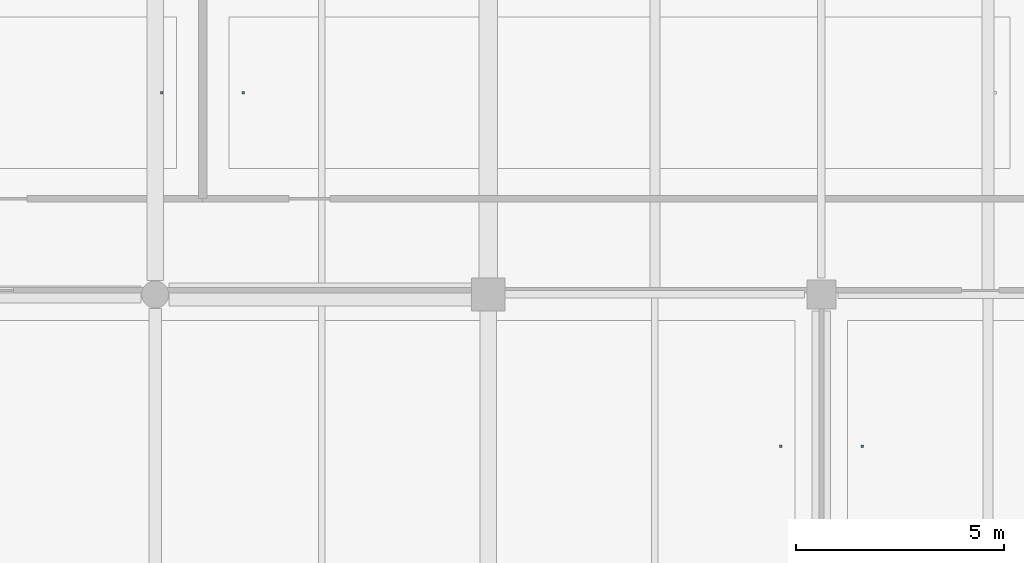
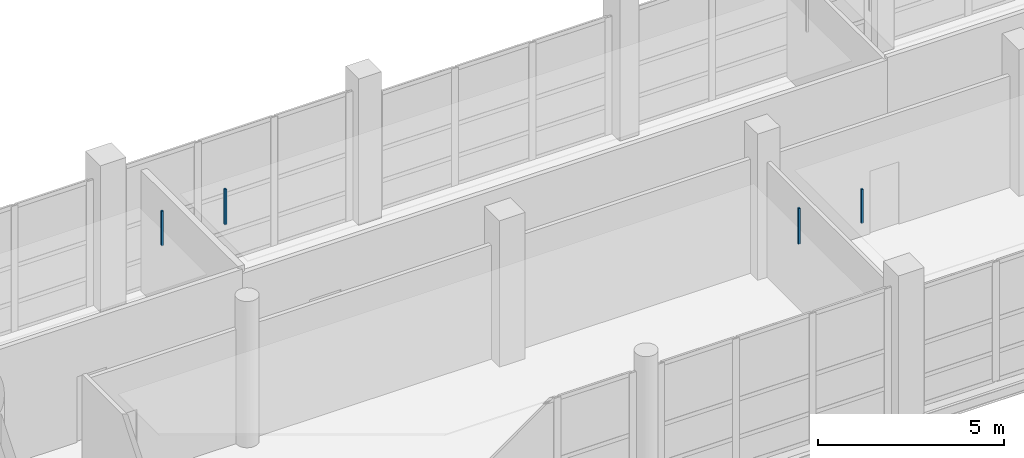
# One storey, part 104 of 141: 4 discrete accessories.
"""IFC4 building model written with IfcOpenShell, lengths in metres."""

from ifc_helpers import new_model, si_unit, direction, frame, origin, origin_2d, place, context, subcontext, project, spatial, rectangle, extrude, material, type_object, element, save


model = new_model("IFC4")

# Units and contexts
model_context = context("Model", 3, precision=1e-05, world=origin(), true_north=direction((0.0, 1.0)))
body_context = subcontext(model_context, "Body", "Model", "MODEL_VIEW")
ifc_project = project(units=[si_unit("LENGTHUNIT", "METRE"), si_unit("AREAUNIT", "SQUARE_METRE"), si_unit("VOLUMEUNIT", "CUBIC_METRE"), si_unit("PLANEANGLEUNIT", "RADIAN"), si_unit("MASSUNIT", "GRAM", prefix="KILO")], contexts=[model_context])

# Site, building, storey
site_placement = place(None, origin())
site = spatial("IfcSite", under=ifc_project, at=site_placement, CompositionType="ELEMENT")
building_placement = place(site_placement, origin())
building = spatial("IfcBuilding", under=site, at=building_placement, Name="Khelvaren Railside Concert Hall", CompositionType="ELEMENT")
storey_placement = place(building_placement, frame((0.0, 0.0, 10.199951171875)))
storey = spatial("IfcBuildingStorey", under=building, at=storey_placement, Name="L02", CompositionType="ELEMENT", Elevation=10.199951171875)

# Discrete accessories
ifc_material = material(Name="Galvanised steel acoustic ceiling hanger rod", Category="steel")
discrete_accessory_type = type_object("IfcDiscreteAccessoryType", Name="BRK62", PredefinedType="BRACKET", material=ifc_material)
discrete_accessory_1_placement = place(storey_placement, frame((88.159912109375, 12.449951171875, 3.43017578125), z_axis=(0.0, 0.0, 1.0), x_axis=(1.0, 0.0, 0.0)))
element("IfcDiscreteAccessory", 1, at=discrete_accessory_1_placement, inside=storey, type_object=discrete_accessory_type, Name="Acoustic Ceiling Suspension Bracket 84-2", PredefinedType="BRACKET", context=body_context, shape_type="SweptSolid", body=[
    extrude(rectangle(XDim=0.06005859375, YDim=0.06005859375, at=origin_2d()), origin(), (0.0, 0.0, 1.0), 1.1298828125),
])
for number, where, z_axis, x_axis, name in (
    (2, (90.1201171875, 12.449951171875, 3.43017578125), (0.0, 0.0, 1.0), (1.0, 0.0, 0.0), "Acoustic Ceiling Suspension Bracket 85-1"),
    (3, (103.02001953125, 3.949951171875, 3.43017578125), (0.0, 0.0, 1.0), (1.0, 0.0, 0.0), "Acoustic Ceiling Suspension Bracket 88-2"),
):
    element("IfcDiscreteAccessory", number, at=place(storey_placement, frame(where, z_axis=z_axis, x_axis=x_axis)), inside=storey, type_object=discrete_accessory_type, Name=name, PredefinedType="BRACKET", context=body_context, shape_type="SweptSolid", body=[
        extrude(rectangle(XDim=0.06005859375, YDim=0.06005859375, at=origin_2d()), origin(), (0.0, 0.0, 1.0), 1.169921875),
    ])
discrete_accessory_2_placement = place(storey_placement, frame((104.97998046875, 3.949951171875, 3.43017578125), z_axis=(0.0, 0.0, 1.0), x_axis=(1.0, 0.0, 0.0)))
element("IfcDiscreteAccessory", 4, at=discrete_accessory_2_placement, inside=storey, type_object=discrete_accessory_type, Name="Acoustic Ceiling Suspension Bracket 89-1", PredefinedType="BRACKET", context=body_context, shape_type="SweptSolid", body=[
    extrude(rectangle(XDim=0.06005859375, YDim=0.06005859375, at=origin_2d()), origin(), (0.0, 0.0, 1.0), 1.110107421875),
])

save(model, "model.ifc")
